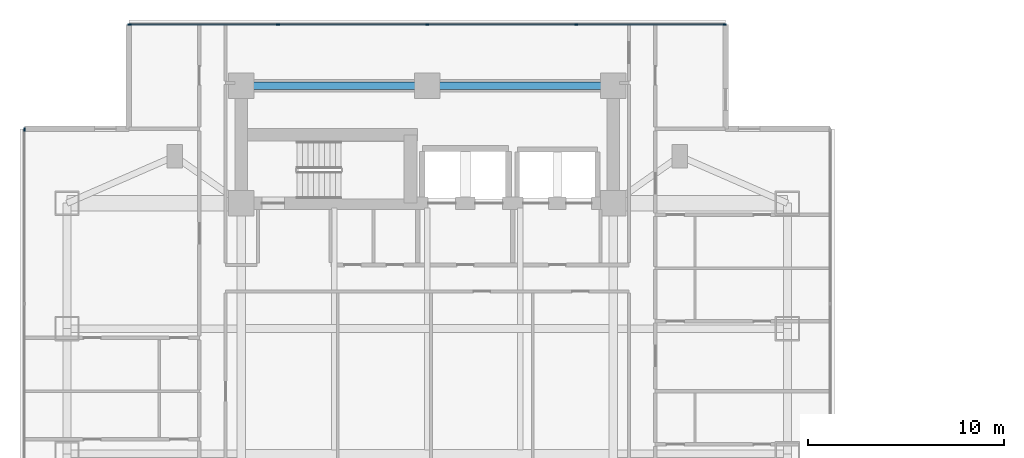
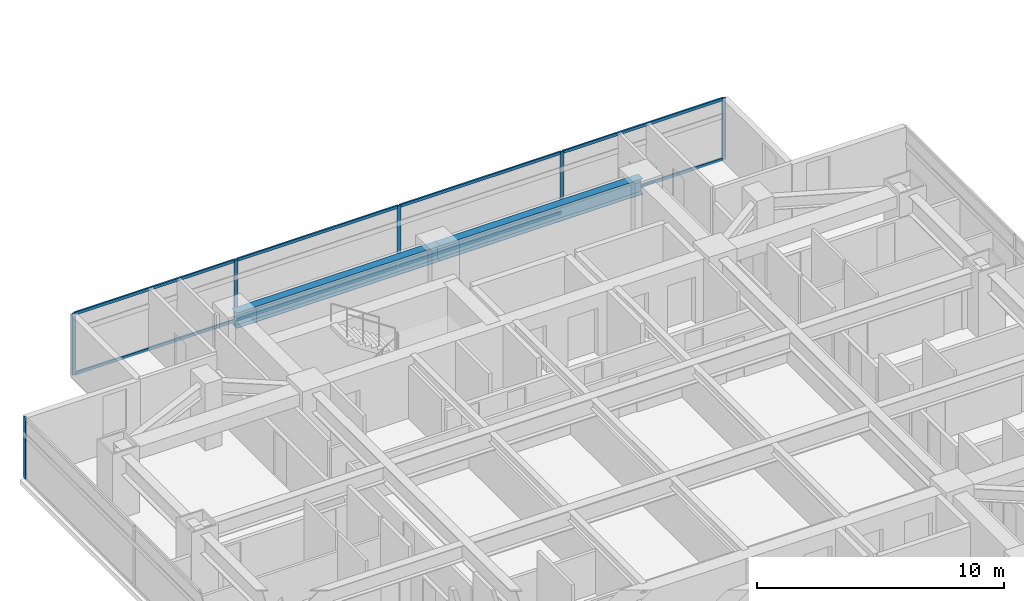
# One storey, part 8 of 27: 14 members, 2 beams, 2 elements without a shape of their own.
"""IFC4 building model written with IfcOpenShell, lengths in metres."""

import ifcopenshell
import ifcopenshell.guid

model = None  # the IFC model being written
_history = None  # IfcOwnerHistory: only IFC2X3 demands one
_inside = {}  # id of a spatial element -> (the spatial element, [elements in it])
_under = {}  # id of a project, library or spatial element -> (it, [spatial elements below it])
_declared = {}  # id of a project -> (the project, [libraries it declares])
_typed = {}  # id of a type object -> (the type object, [elements of that type])
_made_of = {}  # id of a material, layer set ... -> (it, [elements and type objects made of it])


def new_model(schema):
    """Start an empty IFC model of exactly this schema.

    Asked for "IFC4X3", IfcOpenShell would pick the latest addendum, in which some entities
    have other attributes; the version numbers below select the first issue.
    IFC2X3 requires an IfcOwnerHistory on every rooted entity: one is made here for all.
    """
    global model, _history
    if schema == "IFC4X3":
        model = ifcopenshell.file(schema_version=(4, 3, 0, 0))
    else:
        model = ifcopenshell.file(schema=schema)
    _inside.clear()
    _under.clear()
    _declared.clear()
    _typed.clear()
    _made_of.clear()
    _history = None
    if model.schema == "IFC2X3":
        org = make("IfcOrganization", Name="unknown")
        user = make(
            "IfcPersonAndOrganization",
            ThePerson=make("IfcPerson", FamilyName="unknown"),
            TheOrganization=org,
        )
        app = make(
            "IfcApplication",
            ApplicationDeveloper=org,
            Version="unknown",
            ApplicationFullName="unknown",
            ApplicationIdentifier="unknown",
        )
        _history = make(
            "IfcOwnerHistory",
            OwningUser=user,
            OwningApplication=app,
            ChangeAction="ADDED",
            CreationDate=0,
        )
    return model


def make(cls, **values):
    """One entity of the class cls with the attributes given. An attribute that is None is left unset."""
    return model.create_entity(
        cls, **{name: value for name, value in values.items() if value is not None}
    )


def rooted(cls, **values):
    """An entity with a GlobalId (a new one), such as an element, a storey or a relation."""
    return make(cls, GlobalId=ifcopenshell.guid.new(), OwnerHistory=_history, **values)


def si_unit(unit_type, name, prefix=None):
    """IfcSIUnit, for example si_unit("LENGTHUNIT", "METRE", prefix="MILLI")."""
    return make("IfcSIUnit", UnitType=unit_type, Prefix=prefix, Name=name)


def assignment(units):
    """IfcUnitAssignment: the units of a project."""
    return None if units is None else make("IfcUnitAssignment", Units=units)


def point(xyz):
    """IfcCartesianPoint."""
    return None if xyz is None else make("IfcCartesianPoint", Coordinates=xyz)


def direction(xyz):
    """IfcDirection."""
    return None if xyz is None else make("IfcDirection", DirectionRatios=xyz)


def frame(location, z_axis=None, x_axis=None):
    """IfcAxis2Placement3D, a coordinate frame: its origin and axes. An axis left out is left unset."""
    return make(
        "IfcAxis2Placement3D",
        Location=point(location),
        Axis=direction(z_axis),
        RefDirection=direction(x_axis),
    )


def frame_2d(location, x_axis=None):
    """IfcAxis2Placement2D, a coordinate frame in the plane: its origin and x axis."""
    return make(
        "IfcAxis2Placement2D", Location=point(location), RefDirection=direction(x_axis)
    )


def origin():
    """The frame at (0, 0, 0) with its axes left unset."""
    return frame((0.0, 0.0, 0.0))


def origin_2d():
    """The frame at (0, 0) in the plane with its x axis left unset."""
    return frame_2d((0.0, 0.0))


def place(relative_to, where):
    """IfcLocalPlacement: puts the frame where relative to a parent placement (None: the world)."""
    return make(
        "IfcLocalPlacement", PlacementRelTo=relative_to, RelativePlacement=where
    )


def context(
    kind, dimensions, precision=None, world=None, true_north=None, identifier=None
):
    """IfcGeometricRepresentationContext, for example the 3D "Model" context."""
    return make(
        "IfcGeometricRepresentationContext",
        ContextIdentifier=identifier,
        ContextType=kind,
        CoordinateSpaceDimension=dimensions,
        Precision=precision,
        WorldCoordinateSystem=world,
        TrueNorth=true_north,
    )


def subcontext(parent, identifier, kind, view, scale=None):
    """IfcGeometricRepresentationSubContext, for example "Body" below "Model"."""
    return make(
        "IfcGeometricRepresentationSubContext",
        ContextIdentifier=identifier,
        ContextType=kind,
        ParentContext=parent,
        TargetScale=scale,
        TargetView=view,
    )


def project(units=None, contexts=None):
    """IfcProject with its units and contexts."""
    return rooted(
        "IfcProject",
        Name="project",
        RepresentationContexts=contexts,
        UnitsInContext=assignment(units),
    )


def spatial(cls, under=None, at=None, **own):
    """A site, building, storey or space (cls), placed at a placement, below another one or the project."""
    s = rooted(cls, ObjectPlacement=at, **own)
    if under is not None:
        _under.setdefault(under.id(), (under, []))[1].append(s)
    return s


def profile(cls, at=None, kind="AREA", **sizes):
    """A parametric profile (cls). Its sizes go by their IFC names, for example OverallWidth=200.0."""
    return make(cls, ProfileType=kind, Position=at, **sizes)


def rectangle(**sizes):
    """IfcRectangleProfileDef."""
    return profile("IfcRectangleProfileDef", **sizes)


def i_section(**sizes):
    """IfcIShapeProfileDef."""
    return profile("IfcIShapeProfileDef", **sizes)


def extrude(swept, where, along, depth):
    """IfcExtrudedAreaSolid: the profile swept, set in the frame where, extruded along a direction by depth."""
    return make(
        "IfcExtrudedAreaSolid",
        SweptArea=swept,
        Position=where,
        ExtrudedDirection=direction(along),
        Depth=depth,
    )


def shape(context_of_items, identifier, shape_type, items):
    """IfcShapeRepresentation: the items that make up one representation, for example the "Body"."""
    return make(
        "IfcShapeRepresentation",
        ContextOfItems=context_of_items,
        RepresentationIdentifier=identifier,
        RepresentationType=shape_type,
        Items=items,
    )


def material(Name=None, Category=None):
    """IfcMaterial."""
    return make("IfcMaterial", Name=Name, Category=Category)


def material_profile(
    of_material, cross_section, Name=None, Category=None, Priority=None
):
    """IfcMaterialProfile: a cross section and its material."""
    return make(
        "IfcMaterialProfile",
        Name=Name,
        Material=of_material,
        Profile=cross_section,
        Priority=Priority,
        Category=Category,
    )


def profile_set(profiles, Name=None, composite=None):
    """IfcMaterialProfileSet."""
    return make(
        "IfcMaterialProfileSet",
        Name=Name,
        MaterialProfiles=profiles,
        CompositeProfile=composite,
    )


def made_of(thing, what):
    """Note that an element or type object is made of a material, layer set ...; save() writes the relation."""
    if what is not None:
        _made_of.setdefault(what.id(), (what, []))[1].append(thing)
    return thing


def type_object(cls, material=None, **own):
    """A type object (cls), such as IfcWallType, which elements share."""
    return made_of(rooted(cls, **own), material)


def element(
    cls,
    number,
    at=None,
    inside=None,
    cuts=None,
    type_object=None,
    material=None,
    context=None,
    identifier="Body",
    shape_type=None,
    held_by="IfcProductDefinitionShape",
    body=None,
    shapes=None,
    **own,
):
    """One element of the class cls, such as IfcWall. Its Tag is "e" and its number.

    at: its placement. inside: the storey or other place that contains it. cuts: it is an
    opening in that element (IfcRelVoidsElement). A single representation is given by context,
    identifier, shape_type and body (its items); several are given by shapes. held_by: the class
    of the entity that holds the representations. save() writes the other relations.
    """
    e = rooted(cls, Tag="e%d" % number, ObjectPlacement=at, **own)
    if body is not None:
        shapes = [shape(context, identifier, shape_type, body)]
    if shapes is not None:
        e.Representation = make(held_by, Representations=shapes)
    if inside is not None:
        _inside.setdefault(inside.id(), (inside, []))[1].append(e)
    if cuts is not None:
        rooted(
            "IfcRelVoidsElement", RelatingBuildingElement=cuts, RelatedOpeningElement=e
        )
    if type_object is not None:
        _typed.setdefault(type_object.id(), (type_object, []))[1].append(e)
    return made_of(e, material)


def aggregate(whole, parts):
    """IfcRelAggregates: a whole, such as a stair, and the parts it consists of."""
    return rooted("IfcRelAggregates", RelatingObject=whole, RelatedObjects=parts)


def save(model, path):
    """Write the relations noted so far, then the file.

    IfcRelAggregates (storeys below a building ...), IfcRelContainedInSpatialStructure (elements
    in a storey), IfcRelDefinesByType, IfcRelAssociatesMaterial and IfcRelDeclares: one each for
    every whole, place, type object, material and project.
    """
    for whole, parts in _under.values():
        aggregate(whole, parts)
    for where, things in _inside.values():
        rooted(
            "IfcRelContainedInSpatialStructure",
            RelatedElements=things,
            RelatingStructure=where,
        )
    for kind, things in _typed.values():
        rooted("IfcRelDefinesByType", RelatedObjects=things, RelatingType=kind)
    for what, things in _made_of.values():
        rooted("IfcRelAssociatesMaterial", RelatedObjects=things, RelatingMaterial=what)
    for by, libraries in _declared.values():
        rooted("IfcRelDeclares", RelatingContext=by, RelatedDefinitions=libraries)
    model.write(path)


model = new_model("IFC4")

# Units and contexts
model_context = context("Model", 3, precision=1e-05, world=origin(), true_north=direction((0.0, 1.0)))
body_context = subcontext(model_context, "Body", "Model", "MODEL_VIEW")
ifc_project = project(units=[si_unit("LENGTHUNIT", "METRE"), si_unit("AREAUNIT", "SQUARE_METRE"), si_unit("VOLUMEUNIT", "CUBIC_METRE"), si_unit("PLANEANGLEUNIT", "RADIAN"), si_unit("MASSUNIT", "GRAM", prefix="KILO")], contexts=[model_context])

# Site, building, storey
site_placement = place(None, origin())
site = spatial("IfcSite", under=ifc_project, at=site_placement, CompositionType="ELEMENT")
building_placement = place(site_placement, origin())
building = spatial("IfcBuilding", under=site, at=building_placement, Name="Mirazonda Arch Towers", CompositionType="ELEMENT")
storey_placement = place(building_placement, frame((0.0, 0.0, 52.10009765625)))
storey = spatial("IfcBuildingStorey", under=building, at=storey_placement, Name="L14", CompositionType="ELEMENT", Elevation=52.10009765625)

# Beams
ifc_material_1 = material(Name="Steel ASTM A992 Grade 50", Category="steel")
ifc_material_profile_1 = material_profile(ifc_material_1, i_section(OverallWidth=0.381103515625, OverallDepth=0.77294921875, WebThickness=0.0166015625, FlangeThickness=0.027099609375, at=origin_2d()), Name="W30X173")
ifc_profile_set_1 = profile_set([ifc_material_profile_1], Name="Steel ASTM A992 Grade 50")
beam_type = type_object("IfcBeamType", Name="BM-INT-W30X173", PredefinedType="USERDEFINED", material=ifc_profile_set_1)
for number, where, z_axis, x_axis, name in (
    (1, (11.0, 43.60009765625, 2.67333984375), (1.0, 0.0, 0.0), (0.0, 1.0, 0.0), "L14 Floor Beam BM-T1-L14-CN1"),
    (2, (20.5, 43.60009765625, 2.67333984375), (1.0, 0.0, 0.0), (0.0, 1.0, 0.0), "L14 Floor Beam BM-T1-L14-CN2"),
):
    element("IfcBeam", number, at=place(storey_placement, frame(where, z_axis=z_axis, x_axis=x_axis)), inside=storey, type_object=beam_type, Name=name, ObjectType="GIRDER", PredefinedType="USERDEFINED", context=body_context, shape_type="SweptSolid", body=[
        extrude(i_section(OverallWidth=0.381103515625, OverallDepth=0.77294921875, WebThickness=0.0166015625, FlangeThickness=0.027099609375, at=origin_2d()), origin(), (0.0, 0.0, 1.0), 9.5),
    ])

# Curtain wall, members
ifc_material_2 = material(Name="Anodised Aluminium and Low-E Glass", Category="aluminium")
curtain_wall_type = type_object("IfcCurtainWallType", Name="CW-HTL-UNIT", PredefinedType="NOTDEFINED", material=ifc_material_2)
curtain_wall_1_placement = place(storey_placement, origin())
curtain_wall_1 = element("IfcCurtainWall", 3, at=curtain_wall_1_placement, inside=storey, type_object=curtain_wall_type, Name="L14 T1 N Facade CW-L14-T1-N", PredefinedType="NOTDEFINED")
ifc_material_3 = material(Name="Anodised Aluminium Alloy", Category="aluminium")
ifc_material_profile_2 = material_profile(ifc_material_3, rectangle(XDim=0.074951171875, YDim=0.1650390625, at=origin_2d()), Name="ALU-MULL-75x165")
ifc_profile_set_2 = profile_set([ifc_material_profile_2], Name="Anodised Aluminium Alloy")
member_type_1 = type_object("IfcMemberType", Name="MULL-CW-HTL-UNIT", PredefinedType="MULLION", material=ifc_profile_set_2)
member_1_placement = place(storey_placement, frame((5.297607421875, 46.739990234375, 0.0), z_axis=(0.0, 0.0, 1.0), x_axis=(0.0, 1.0, 0.0)))
member_1 = element("IfcMember", 4, at=member_1_placement, type_object=member_type_1, Name="CW-112 mullion 1", PredefinedType="MULLION", context=body_context, shape_type="SweptSolid", body=[
    extrude(rectangle(XDim=0.074951171875, YDim=0.1650390625, at=origin_2d()), origin(), (0.0, 0.0, 1.0), 3.039794921875),
])
member_2_placement = place(storey_placement, frame((12.8798828125, 46.739990234375, 0.0), z_axis=(0.0, 0.0, 1.0), x_axis=(0.0, 1.0, 0.0)))
member_2 = element("IfcMember", 5, at=member_2_placement, type_object=member_type_1, Name="CW-112 mullion 2", PredefinedType="MULLION", context=body_context, shape_type="SweptSolid", body=[
    extrude(rectangle(XDim=0.074951171875, YDim=0.1650390625, at=origin_2d()), origin(), (0.0, 0.0, 1.0), 3.039794921875),
])
member_3_placement = place(storey_placement, frame((20.5, 46.739990234375, 0.0), z_axis=(0.0, 0.0, 1.0), x_axis=(0.0, 1.0, 0.0)))
member_3 = element("IfcMember", 6, at=member_3_placement, type_object=member_type_1, Name="CW-112 mullion 3", PredefinedType="MULLION", context=body_context, shape_type="SweptSolid", body=[
    extrude(rectangle(XDim=0.074951171875, YDim=0.1650390625, at=origin_2d()), origin(), (0.0, 0.0, 1.0), 3.039794921875),
])
member_4_placement = place(storey_placement, frame((28.1201171875, 46.739990234375, 0.0), z_axis=(0.0, 0.0, 1.0), x_axis=(0.0, 1.0, 0.0)))
member_4 = element("IfcMember", 7, at=member_4_placement, type_object=member_type_1, Name="CW-112 mullion 4", PredefinedType="MULLION", context=body_context, shape_type="SweptSolid", body=[
    extrude(rectangle(XDim=0.074951171875, YDim=0.1650390625, at=origin_2d()), origin(), (0.0, 0.0, 1.0), 3.039794921875),
])
member_5_placement = place(storey_placement, frame((35.702392578125, 46.739990234375, 0.0), z_axis=(0.0, 0.0, 1.0), x_axis=(0.0, 1.0, 0.0)))
member_5 = element("IfcMember", 8, at=member_5_placement, type_object=member_type_1, Name="CW-112 mullion 5", PredefinedType="MULLION", context=body_context, shape_type="SweptSolid", body=[
    extrude(rectangle(XDim=0.074951171875, YDim=0.1650390625, at=origin_2d()), origin(), (0.0, 0.0, 1.0), 3.039794921875),
])

# Curtain wall, member
curtain_wall_2_placement = place(storey_placement, origin())
curtain_wall_2 = element("IfcCurtainWall", 9, at=curtain_wall_2_placement, inside=storey, type_object=curtain_wall_type, Name="L14 T1 W Facade CW-L14-T1-W", PredefinedType="NOTDEFINED")
member_6_placement = place(storey_placement, frame((-0.080078125, 41.362548828125, 0.0), z_axis=(0.0, 0.0, 1.0), x_axis=(1.0, 0.0, 0.0)))
member_6 = element("IfcMember", 10, at=member_6_placement, type_object=member_type_1, Name="CW-112 mullion 1", PredefinedType="MULLION", context=body_context, shape_type="SweptSolid", body=[
    extrude(rectangle(XDim=0.074951171875, YDim=0.1650390625, at=origin_2d()), origin(), (0.0, 0.0, 1.0), 3.039794921875),
])
aggregate(curtain_wall_2, [member_6])

# Member
ifc_material_profile_3 = material_profile(ifc_material_3, rectangle(XDim=0.074951171875, YDim=0.14501953125, at=origin_2d()), Name="ALU-TRAN-75x145")
ifc_profile_set_3 = profile_set([ifc_material_profile_3], Name="Anodised Aluminium Alloy")
member_type_2 = type_object("IfcMemberType", Name="TRAN-CW-HTL-UNIT", PredefinedType="USERDEFINED", material=ifc_profile_set_3)
member_7_placement = place(storey_placement, frame((5.3349609375, 46.739990234375, 0.037353515625), z_axis=(1.0, 0.0, 0.0), x_axis=(0.0, 1.0, 0.0)))
member_7 = element("IfcMember", 11, at=member_7_placement, type_object=member_type_2, Name="CW-112 transom 1.1", ObjectType="TRANSOM", PredefinedType="USERDEFINED", context=body_context, shape_type="SweptSolid", body=[
    extrude(rectangle(XDim=0.074951171875, YDim=0.14501953125, at=origin_2d()), origin(), (0.0, 0.0, 1.0), 7.507568359375),
])

member_8_placement = place(storey_placement, frame((5.3349609375, 46.739990234375, 3.00244140625), z_axis=(1.0, 0.0, 0.0), x_axis=(0.0, 1.0, 0.0)))
member_8 = element("IfcMember", 12, at=member_8_placement, type_object=member_type_2, Name="CW-112 transom 1.2", ObjectType="TRANSOM", PredefinedType="USERDEFINED", context=body_context, shape_type="SweptSolid", body=[
    extrude(rectangle(XDim=0.074951171875, YDim=0.14501953125, at=origin_2d()), origin(), (0.0, 0.0, 1.0), 7.507568359375),
])

member_9_placement = place(storey_placement, frame((12.91748046875, 46.739990234375, 0.037353515625), z_axis=(1.0, 0.0, 0.0), x_axis=(0.0, 1.0, 0.0)))
member_9 = element("IfcMember", 13, at=member_9_placement, type_object=member_type_2, Name="CW-112 transom 2.1", ObjectType="TRANSOM", PredefinedType="USERDEFINED", context=body_context, shape_type="SweptSolid", body=[
    extrude(rectangle(XDim=0.074951171875, YDim=0.14501953125, at=origin_2d()), origin(), (0.0, 0.0, 1.0), 7.544921875),
])

member_10_placement = place(storey_placement, frame((12.91748046875, 46.739990234375, 3.00244140625), z_axis=(1.0, 0.0, 0.0), x_axis=(0.0, 1.0, 0.0)))
member_10 = element("IfcMember", 14, at=member_10_placement, type_object=member_type_2, Name="CW-112 transom 2.2", ObjectType="TRANSOM", PredefinedType="USERDEFINED", context=body_context, shape_type="SweptSolid", body=[
    extrude(rectangle(XDim=0.074951171875, YDim=0.14501953125, at=origin_2d()), origin(), (0.0, 0.0, 1.0), 7.544921875),
])

member_11_placement = place(storey_placement, frame((20.53759765625, 46.739990234375, 0.037353515625), z_axis=(1.0, 0.0, 0.0), x_axis=(0.0, 1.0, 0.0)))
member_11 = element("IfcMember", 15, at=member_11_placement, type_object=member_type_2, Name="CW-112 transom 3.1", ObjectType="TRANSOM", PredefinedType="USERDEFINED", context=body_context, shape_type="SweptSolid", body=[
    extrude(rectangle(XDim=0.074951171875, YDim=0.14501953125, at=origin_2d()), origin(), (0.0, 0.0, 1.0), 7.544921875),
])

member_12_placement = place(storey_placement, frame((20.53759765625, 46.739990234375, 3.00244140625), z_axis=(1.0, 0.0, 0.0), x_axis=(0.0, 1.0, 0.0)))
member_12 = element("IfcMember", 16, at=member_12_placement, type_object=member_type_2, Name="CW-112 transom 3.2", ObjectType="TRANSOM", PredefinedType="USERDEFINED", context=body_context, shape_type="SweptSolid", body=[
    extrude(rectangle(XDim=0.074951171875, YDim=0.14501953125, at=origin_2d()), origin(), (0.0, 0.0, 1.0), 7.544921875),
])

member_13_placement = place(storey_placement, frame((28.157470703125, 46.739990234375, 0.037353515625), z_axis=(1.0, 0.0, 0.0), x_axis=(0.0, 1.0, 0.0)))
member_13 = element("IfcMember", 17, at=member_13_placement, type_object=member_type_2, Name="CW-112 transom 4.1", ObjectType="TRANSOM", PredefinedType="USERDEFINED", context=body_context, shape_type="SweptSolid", body=[
    extrude(rectangle(XDim=0.074951171875, YDim=0.14501953125, at=origin_2d()), origin(), (0.0, 0.0, 1.0), 7.507568359375),
])

member_14_placement = place(storey_placement, frame((28.157470703125, 46.739990234375, 3.00244140625), z_axis=(1.0, 0.0, 0.0), x_axis=(0.0, 1.0, 0.0)))
member_14 = element("IfcMember", 18, at=member_14_placement, type_object=member_type_2, Name="CW-112 transom 4.2", ObjectType="TRANSOM", PredefinedType="USERDEFINED", context=body_context, shape_type="SweptSolid", body=[
    extrude(rectangle(XDim=0.074951171875, YDim=0.14501953125, at=origin_2d()), origin(), (0.0, 0.0, 1.0), 7.507568359375),
])

aggregate(curtain_wall_1, [member_1, member_2, member_3, member_4, member_5, member_7, member_8, member_9, member_10, member_11, member_12, member_13, member_14])

save(model, "model.ifc")
